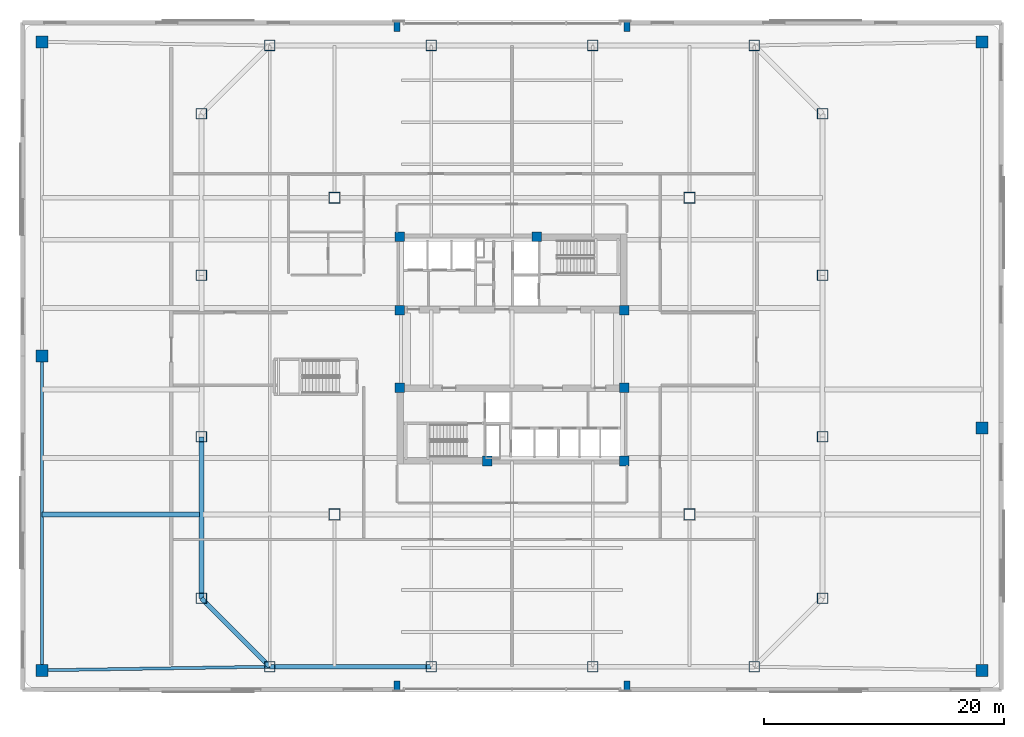
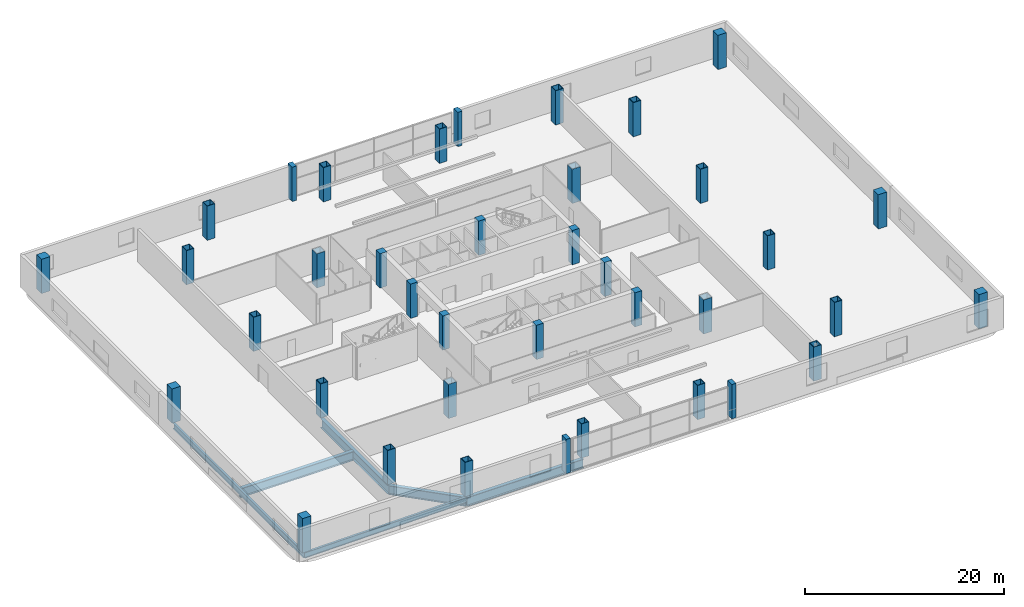
# One storey, part 1 of 21: 38 columns, 6 beams.
"""IFC4 building model written with IfcOpenShell, lengths in metres."""

from ifc_helpers import new_model, si_unit, direction, frame, origin, origin_2d, place, context, subcontext, project, spatial, rectangle, hollow_rectangle, i_section, extrude, material, material_profile, profile_set, type_object, element, save


model = new_model("IFC4")

# Units and contexts
model_context = context("Model", 3, precision=1e-05, world=origin(), true_north=direction((0.0, 1.0)))
body_context = subcontext(model_context, "Body", "Model", "MODEL_VIEW")
ifc_project = project(units=[si_unit("LENGTHUNIT", "METRE"), si_unit("AREAUNIT", "SQUARE_METRE"), si_unit("VOLUMEUNIT", "CUBIC_METRE"), si_unit("PLANEANGLEUNIT", "RADIAN"), si_unit("MASSUNIT", "GRAM", prefix="KILO")], contexts=[model_context])

# Site, building, storey
site_placement = place(None, origin())
site = spatial("IfcSite", under=ifc_project, at=site_placement, CompositionType="ELEMENT")
building_placement = place(site_placement, origin())
building = spatial("IfcBuilding", under=site, at=building_placement, Name="Qhalaya Broadcast Tower", CompositionType="ELEMENT")
storey_placement = place(building_placement, frame((0.0, 0.0, 21.89990234375)))
storey = spatial("IfcBuildingStorey", under=building, at=storey_placement, Name="L05", CompositionType="ELEMENT", Elevation=21.89990234375)

# Columns
ifc_material_1 = material(Name="Concrete C60/75", Category="concrete")
ifc_material_profile_1 = material_profile(ifc_material_1, rectangle(XDim=0.5, YDim=0.85009765625, at=origin_2d()), Name="RC-PIL 500x850")
ifc_profile_set_1 = profile_set([ifc_material_profile_1], Name="Concrete C60/75")
column_type_1 = type_object("IfcColumnType", Name="Concourse Portal Pilaster CP1", PredefinedType="PILASTER", material=ifc_profile_set_1)
for number, where, z_axis, x_axis, name in (
    (1, (-9.60009765625, -27.5, 0.0), (0.0, 0.0, 1.0), (1.0, 0.0, 0.0), "L05 Column PIL-PL1"),
    (2, (9.60009765625, -27.5, 0.0), (0.0, 0.0, 1.0), (1.0, 0.0, 0.0), "L05 Column PIL-PL2"),
    (3, (-9.60009765625, 27.5, 0.0), (0.0, 0.0, 1.0), (1.0, 0.0, 0.0), "L05 Column PIL-PL3"),
    (4, (9.60009765625, 27.5, 0.0), (0.0, 0.0, 1.0), (1.0, 0.0, 0.0), "L05 Column PIL-PL4"),
):
    element("IfcColumn", number, at=place(storey_placement, frame(where, z_axis=z_axis, x_axis=x_axis)), inside=storey, type_object=column_type_1, Name=name, PredefinedType="PILASTER", context=body_context, shape_type="SweptSolid", body=[
        extrude(rectangle(XDim=0.5, YDim=0.85009765625, at=origin_2d()), origin(), (0.0, 0.0, 1.0), 4.2001953125),
    ])
ifc_material_profile_2 = material_profile(ifc_material_1, rectangle(XDim=1.0, YDim=1.0, at=origin_2d()), Name="RC-COL 1000x1000")
ifc_profile_set_2 = profile_set([ifc_material_profile_2], Name="Concrete C60/75")
column_type_2 = type_object("IfcColumnType", Name="RC Podium Column C09", PredefinedType="COLUMN", material=ifc_profile_set_2)
for number, where, z_axis, x_axis, name in (
    (5, (-39.199951171875, 0.0, 0.0), (0.0, 0.0, 1.0), (1.0, 0.0, 0.0), "L05 Column COL-E1"),
    (6, (39.199951171875, -6.0, 0.0), (0.0, 0.0, 1.0), (1.0, 0.0, 0.0), "L05 Column COL-E2"),
    (7, (-39.199951171875, -26.199951171875, 0.0), (0.0, 0.0, 1.0), (1.0, 0.0, 0.0), "L05 Column COL-E3"),
    (8, (39.199951171875, -26.199951171875, 0.0), (0.0, 0.0, 1.0), (1.0, 0.0, 0.0), "L05 Column COL-E4"),
    (9, (-39.199951171875, 26.199951171875, 0.0), (0.0, 0.0, 1.0), (1.0, 0.0, 0.0), "L05 Column COL-E5"),
    (10, (39.199951171875, 26.199951171875, 0.0), (0.0, 0.0, 1.0), (1.0, 0.0, 0.0), "L05 Column COL-E6"),
):
    element("IfcColumn", number, at=place(storey_placement, frame(where, z_axis=z_axis, x_axis=x_axis)), inside=storey, type_object=column_type_2, Name=name, PredefinedType="COLUMN", context=body_context, shape_type="SweptSolid", body=[
        extrude(rectangle(XDim=1.0, YDim=1.0, at=origin_2d()), origin(), (0.0, 0.0, 1.0), 4.2001953125),
    ])
ifc_material_2 = material(Name="Concrete C50/60", Category="concrete")
ifc_material_profile_3 = material_profile(ifc_material_2, rectangle(XDim=0.800048828125, YDim=0.800048828125, at=origin_2d()), Name="RC-COL 800x800")
ifc_profile_set_3 = profile_set([ifc_material_profile_3], Name="Concrete C50/60")
column_type_3 = type_object("IfcColumnType", Name="RC Upper Column C10", PredefinedType="COLUMN", material=ifc_profile_set_3)
for number, where, z_axis, x_axis, name in (
    (11, (-9.375, 9.949951171875, 0.0), (0.0, 0.0, 1.0), (1.0, 0.0, 0.0), "L05 Column COL-CC1"),
    (12, (2.050048828125, 9.949951171875, 0.0), (0.0, 0.0, 1.0), (1.0, 0.0, 0.0), "L05 Column COL-CC2"),
    (13, (-9.375, 3.824951171875, 0.0), (0.0, 0.0, 1.0), (1.0, 0.0, 0.0), "L05 Column COL-CC3"),
    (14, (9.375, 3.824951171875, 0.0), (0.0, 0.0, 1.0), (1.0, 0.0, 0.0), "L05 Column COL-CC4"),
    (15, (-9.375, -2.625, 0.0), (0.0, 0.0, 1.0), (1.0, 0.0, 0.0), "L05 Column COL-CC5"),
    (16, (9.375, -2.625, 0.0), (0.0, 0.0, 1.0), (1.0, 0.0, 0.0), "L05 Column COL-CC6"),
    (17, (-2.050048828125, -8.75, 0.0), (0.0, 0.0, 1.0), (1.0, 0.0, 0.0), "L05 Column COL-CC7"),
    (18, (9.375, -8.75, 0.0), (0.0, 0.0, 1.0), (1.0, 0.0, 0.0), "L05 Column COL-CC8"),
):
    element("IfcColumn", number, at=place(storey_placement, frame(where, z_axis=z_axis, x_axis=x_axis)), inside=storey, type_object=column_type_3, Name=name, PredefinedType="COLUMN", context=body_context, shape_type="SweptSolid", body=[
        extrude(rectangle(XDim=0.800048828125, YDim=0.800048828125, at=origin_2d()), origin(), (0.0, 0.0, 1.0), 4.2001953125),
    ])
ifc_material_3 = material(Name="Structural Steel ASTM A572 Grade 50", Category="steel")
ifc_material_profile_4 = material_profile(ifc_material_3, hollow_rectangle(XDim=0.949951171875, YDim=0.949951171875, WallThickness=0.06005859375, at=origin_2d()), Name="BOX 950x950x60")
ifc_profile_set_4 = profile_set([ifc_material_profile_4], Name="Structural Steel ASTM A572 Grade 50")
column_type_4 = type_object("IfcColumnType", Name="Steel Box Column C01", PredefinedType="COLUMN", material=ifc_profile_set_4)
for number, where, z_axis, x_axis, name in (
    (19, (-14.800048828125, -13.199951171875, 0.0), (0.0, 0.0, 1.0), (1.0, 0.0, 0.0), "L05 Column COL-GR1"),
    (20, (14.800048828125, -13.199951171875, 0.0), (0.0, 0.0, 1.0), (1.0, 0.0, 0.0), "L05 Column COL-GR2"),
    (21, (-14.800048828125, 13.199951171875, 0.0), (0.0, 0.0, 1.0), (1.0, 0.0, 0.0), "L05 Column COL-GR3"),
    (22, (14.800048828125, 13.199951171875, 0.0), (0.0, 0.0, 1.0), (1.0, 0.0, 0.0), "L05 Column COL-GR4"),
):
    element("IfcColumn", number, at=place(storey_placement, frame(where, z_axis=z_axis, x_axis=x_axis)), inside=storey, type_object=column_type_4, Name=name, PredefinedType="COLUMN", context=body_context, shape_type="SweptSolid", body=[
        extrude(hollow_rectangle(XDim=0.949951171875, YDim=0.949951171875, WallThickness=0.06005859375, at=origin_2d()), origin(), (0.0, 0.0, 1.0), 4.2001953125),
    ])
ifc_material_profile_5 = material_profile(ifc_material_3, hollow_rectangle(XDim=0.89990234375, YDim=0.89990234375, WallThickness=0.054931640625, at=origin_2d()), Name="BOX 900x900x55")
ifc_profile_set_5 = profile_set([ifc_material_profile_5], Name="Structural Steel ASTM A572 Grade 50")
column_type_5 = type_object("IfcColumnType", Name="Steel Box Column C02", PredefinedType="COLUMN", material=ifc_profile_set_5)
for number, where, z_axis, x_axis, name in (
    (23, (-20.199951171875, -25.89990234375, 0.0), (0.0, 0.0, 1.0), (1.0, 0.0, 0.0), "L05 Column COL-B1P01"),
    (24, (-6.7333984375, -25.89990234375, 0.0), (0.0, 0.0, 1.0), (1.0, 0.0, 0.0), "L05 Column COL-B1P02"),
    (25, (6.7333984375, -25.89990234375, 0.0), (0.0, 0.0, 1.0), (1.0, 0.0, 0.0), "L05 Column COL-B1P03"),
    (26, (20.199951171875, -25.89990234375, 0.0), (0.0, 0.0, 1.0), (1.0, 0.0, 0.0), "L05 Column COL-B1P04"),
    (27, (25.89990234375, -20.199951171875, 0.0), (0.0, 0.0, 1.0), (0.0, 1.0, 0.0), "L05 Column COL-B1P05"),
    (28, (25.89990234375, -6.7333984375, 0.0), (0.0, 0.0, 1.0), (0.0, 1.0, 0.0), "L05 Column COL-B1P06"),
    (29, (25.89990234375, 6.7333984375, 0.0), (0.0, 0.0, 1.0), (0.0, 1.0, 0.0), "L05 Column COL-B1P07"),
    (30, (25.89990234375, 20.199951171875, 0.0), (0.0, 0.0, 1.0), (0.0, 1.0, 0.0), "L05 Column COL-B1P08"),
    (31, (20.199951171875, 25.89990234375, 0.0), (0.0, 0.0, 1.0), (1.0, 0.0, 0.0), "L05 Column COL-B1P09"),
    (32, (6.7333984375, 25.89990234375, 0.0), (0.0, 0.0, 1.0), (1.0, 0.0, 0.0), "L05 Column COL-B1P10"),
    (33, (-6.7333984375, 25.89990234375, 0.0), (0.0, 0.0, 1.0), (1.0, 0.0, 0.0), "L05 Column COL-B1P11"),
    (34, (-20.199951171875, 25.89990234375, 0.0), (0.0, 0.0, 1.0), (1.0, 0.0, 0.0), "L05 Column COL-B1P12"),
    (35, (-25.89990234375, 20.199951171875, 0.0), (0.0, 0.0, 1.0), (0.0, 1.0, 0.0), "L05 Column COL-B1P13"),
    (36, (-25.89990234375, 6.7333984375, 0.0), (0.0, 0.0, 1.0), (0.0, 1.0, 0.0), "L05 Column COL-B1P14"),
    (37, (-25.89990234375, -6.7333984375, 0.0), (0.0, 0.0, 1.0), (0.0, 1.0, 0.0), "L05 Column COL-B1P15"),
    (38, (-25.89990234375, -20.199951171875, 0.0), (0.0, 0.0, 1.0), (0.0, 1.0, 0.0), "L05 Column COL-B1P16"),
):
    element("IfcColumn", number, at=place(storey_placement, frame(where, z_axis=z_axis, x_axis=x_axis)), inside=storey, type_object=column_type_5, Name=name, PredefinedType="COLUMN", context=body_context, shape_type="SweptSolid", body=[
        extrude(hollow_rectangle(XDim=0.89990234375, YDim=0.89990234375, WallThickness=0.054931640625, at=origin_2d()), origin(), (0.0, 0.0, 1.0), 4.2001953125),
    ])

# Beams
ifc_material_4 = material(Name="Structural Steel ASTM A992 Grade 50", Category="steel")
ifc_material_profile_6 = material_profile(ifc_material_4, i_section(OverallWidth=0.25390625, OverallDepth=0.68310546875, WebThickness=0.012451171875, FlangeThickness=0.01904296875, at=origin_2d()), Name="W27X94")
ifc_profile_set_6 = profile_set([ifc_material_profile_6], Name="Structural Steel ASTM A992 Grade 50")
beam_type_1 = type_object("IfcBeamType", Name="Perimeter Ring Spandrel Beam SP1", PredefinedType="SPANDREL", material=ifc_profile_set_6)
beam_1_placement = place(storey_placement, frame((-39.199951171875, -26.199951171875, -0.721435546875), z_axis=(0.999875328998, 0.015790074776, 0.0), x_axis=(-0.015790074776, 0.999875328998, 0.0)))
element("IfcBeam", 39, at=beam_1_placement, inside=storey, type_object=beam_type_1, Name="L05 SP1 L05-SP-S1", PredefinedType="SPANDREL", context=body_context, shape_type="SweptSolid", body=[
    extrude(i_section(OverallWidth=0.25390625, OverallDepth=0.68310546875, WebThickness=0.012451171875, FlangeThickness=0.01904296875, at=origin_2d()), origin(), (0.0, 0.0, 1.0), 19.00244140625),
])
beam_2_placement = place(storey_placement, frame((-39.199951171875, -26.199951171875, -0.721435546875), z_axis=(0.0, 1.0, 0.0), x_axis=(-1.0, 0.0, 0.0)))
element("IfcBeam", 40, at=beam_2_placement, inside=storey, type_object=beam_type_1, Name="L05 SP1 L05-SP-W1", PredefinedType="SPANDREL", context=body_context, shape_type="SweptSolid", body=[
    extrude(i_section(OverallWidth=0.25390625, OverallDepth=0.68310546875, WebThickness=0.012451171875, FlangeThickness=0.01904296875, at=origin_2d()), origin(), (0.0, 0.0, 1.0), 26.199951171875),
])
ifc_material_profile_7 = material_profile(ifc_material_4, i_section(OverallWidth=0.404052734375, OverallDepth=1.117919921875, WebThickness=0.026123046875, FlangeThickness=0.044921875, at=origin_2d()), Name="W44X335")
ifc_profile_set_7 = profile_set([ifc_material_profile_7], Name="Structural Steel ASTM A992 Grade 50")
beam_type_2 = type_object("IfcBeamType", Name="Podium Long-Span Primary Girder PG1", PredefinedType="USERDEFINED", material=ifc_profile_set_7)
for number, where, z_axis, x_axis, name in (
    (41, (-20.199951171875, -25.89990234375, -0.93896484375), (1.0, 0.0, 0.0), (0.0, 1.0, 0.0), "L05 PG1 L05-PG-R01"),
    (42, (-25.89990234375, -6.7333984375, -0.93896484375), (0.0, -1.0, 0.0), (1.0, 0.0, 0.0), "L05 PG1 L05-PG-R15"),
):
    element("IfcBeam", number, at=place(storey_placement, frame(where, z_axis=z_axis, x_axis=x_axis)), inside=storey, type_object=beam_type_2, Name=name, ObjectType="GIRDER", PredefinedType="USERDEFINED", context=body_context, shape_type="SweptSolid", body=[
        extrude(i_section(OverallWidth=0.404052734375, OverallDepth=1.117919921875, WebThickness=0.026123046875, FlangeThickness=0.044921875, at=origin_2d()), origin(), (0.0, 0.0, 1.0), 13.466552734375),
    ])
beam_3_placement = place(storey_placement, frame((-25.89990234375, -20.199951171875, -0.93896484375), z_axis=(0.707106781187, -0.707106781187, 0.0), x_axis=(0.707106781187, 0.707106781187, 0.0)))
element("IfcBeam", 43, at=beam_3_placement, inside=storey, type_object=beam_type_2, Name="L05 PG1 L05-PG-R16", ObjectType="GIRDER", PredefinedType="USERDEFINED", context=body_context, shape_type="SweptSolid", body=[
    extrude(i_section(OverallWidth=0.404052734375, OverallDepth=1.117919921875, WebThickness=0.026123046875, FlangeThickness=0.044921875, at=origin_2d()), origin(), (0.0, 0.0, 1.0), 8.06103515625),
])
beam_4_placement = place(storey_placement, frame((-39.199951171875, -13.199951171875, -0.93896484375), z_axis=(1.0, 0.0, 0.0), x_axis=(0.0, 1.0, 0.0)))
element("IfcBeam", 44, at=beam_4_placement, inside=storey, type_object=beam_type_2, Name="L05 PG1 L05-PG-GS1", ObjectType="GIRDER", PredefinedType="USERDEFINED", context=body_context, shape_type="SweptSolid", body=[
    extrude(i_section(OverallWidth=0.404052734375, OverallDepth=1.117919921875, WebThickness=0.026123046875, FlangeThickness=0.044921875, at=origin_2d()), origin(), (0.0, 0.0, 1.0), 13.159912109375),
])

save(model, "model.ifc")
